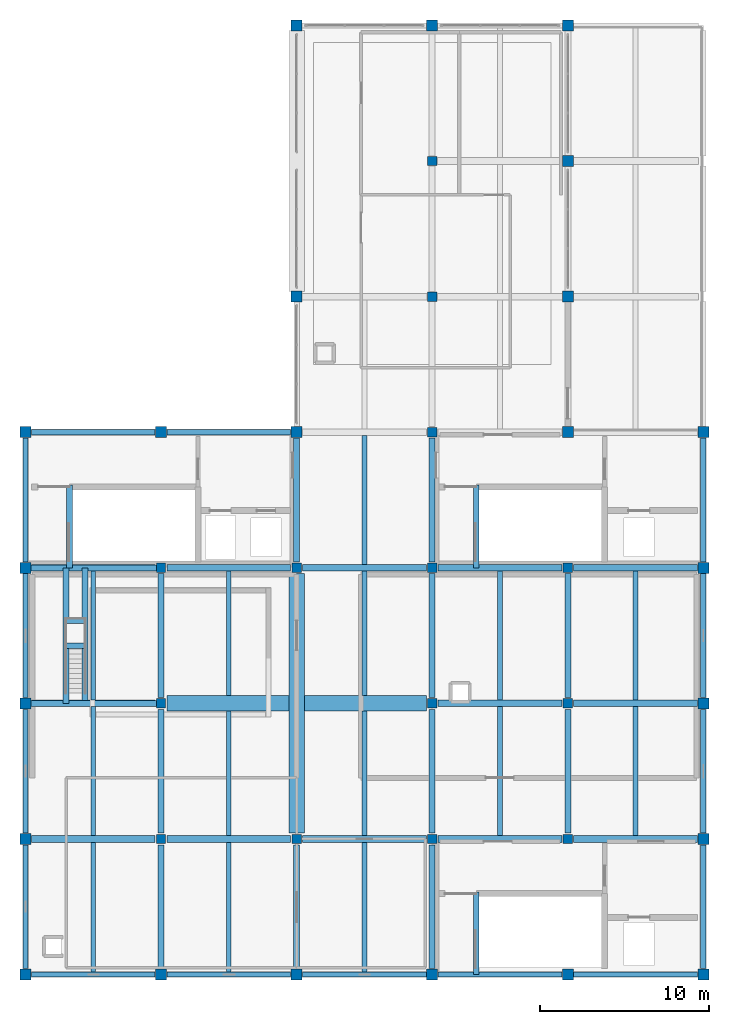
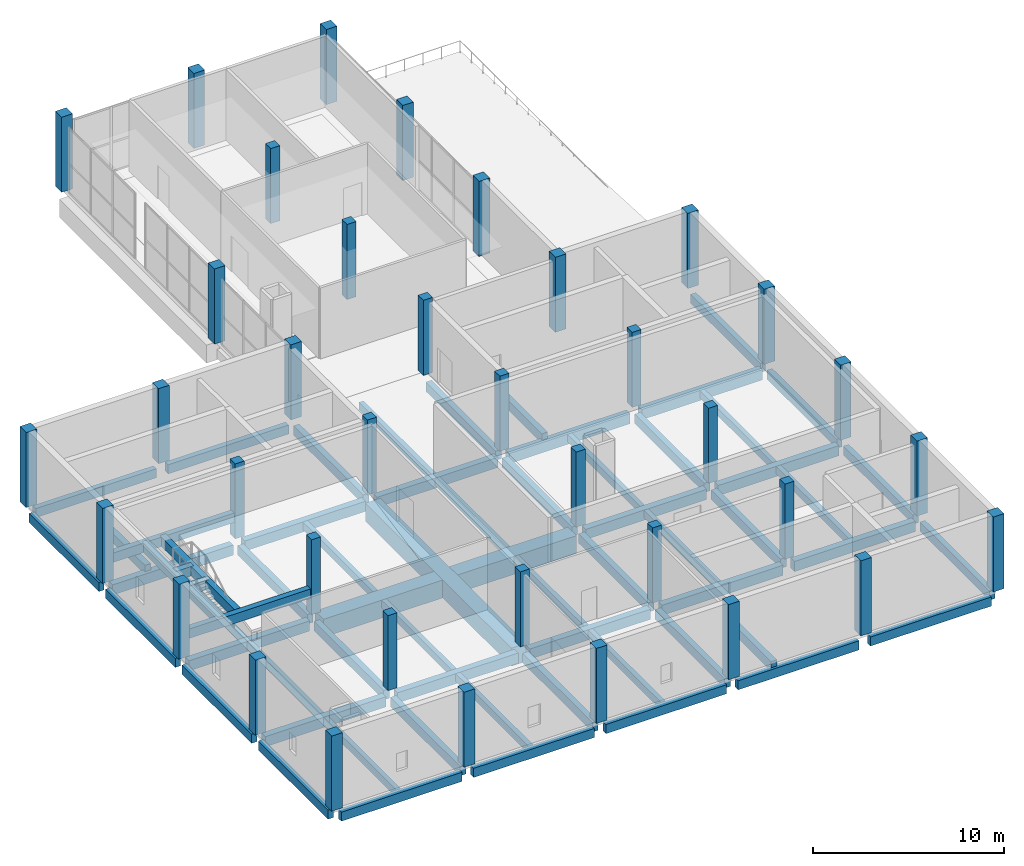
# One storey, part 1 of 8: 64 beams, 37 columns.
"""IFC4 building model written with IfcOpenShell, lengths in metres."""

from ifc_helpers import new_model, si_unit, direction, frame, origin, origin_2d, place, context, subcontext, project, spatial, rectangle, extrude, material, material_profile, profile_set, type_object, element, save


model = new_model("IFC4")

# Units and contexts
model_context = context("Model", 3, precision=1e-05, world=origin(), true_north=direction((0.0, 1.0)))
body_context = subcontext(model_context, "Body", "Model", "MODEL_VIEW")
ifc_project = project(units=[si_unit("LENGTHUNIT", "METRE"), si_unit("AREAUNIT", "SQUARE_METRE"), si_unit("VOLUMEUNIT", "CUBIC_METRE"), si_unit("PLANEANGLEUNIT", "RADIAN"), si_unit("MASSUNIT", "GRAM", prefix="KILO")], contexts=[model_context])

# Site, building, storey
site_placement = place(None, origin())
site = spatial("IfcSite", under=ifc_project, at=site_placement, CompositionType="ELEMENT")
building_placement = place(site_placement, origin())
building = spatial("IfcBuilding", under=site, at=building_placement, Name="Qorikala Patio Media Centre", CompositionType="ELEMENT")
storey_placement = place(building_placement, frame((0.0, 0.0, 27.89990234375)))
storey = spatial("IfcBuildingStorey", under=building, at=storey_placement, Name="L06", CompositionType="ELEMENT", Elevation=27.89990234375)

# Columns
ifc_material = material(Name="Concrete C35/45", Category="concrete")
ifc_material_profile_1 = material_profile(ifc_material, rectangle(XDim=0.550048828125, YDim=0.550048828125, at=origin_2d()), Name="RC 550x550")
ifc_profile_set_1 = profile_set([ifc_material_profile_1], Name="Concrete C35/45")
column_type_1 = type_object("IfcColumnType", Name="RC-COL-550-INT", PredefinedType="COLUMN", material=ifc_profile_set_1)
for number, where, z_axis, x_axis, name in (
    (1, (11.0, 11.0, 0.0), (0.0, 0.0, 1.0), (1.0, 0.0, 0.0), "L06 Column (11,11)"),
    (2, (11.0, 19.0, 0.0), (0.0, 0.0, 1.0), (1.0, 0.0, 0.0), "L06 Column (11,19)"),
    (3, (11.0, 27.0, 0.0), (0.0, 0.0, 1.0), (1.0, 0.0, 0.0), "L06 Column (11,27)"),
    (4, (19.0, 11.0, 0.0), (0.0, 0.0, 1.0), (1.0, 0.0, 0.0), "L06 Column (19,11)"),
    (5, (19.0, 27.0, 0.0), (0.0, 0.0, 1.0), (1.0, 0.0, 0.0), "L06 Column (19,27)"),
    (6, (27.0, 11.0, 0.0), (0.0, 0.0, 1.0), (1.0, 0.0, 0.0), "L06 Column (27,11)"),
    (7, (27.0, 19.0, 0.0), (0.0, 0.0, 1.0), (1.0, 0.0, 0.0), "L06 Column (27,19)"),
    (8, (27.0, 27.0, 0.0), (0.0, 0.0, 1.0), (1.0, 0.0, 0.0), "L06 Column (27,27)"),
    (9, (27.0, 35.0, 0.0), (0.0, 0.0, 1.0), (1.0, 0.0, 0.0), "L06 Column (27,35)"),
    (10, (27.0, 43.0, 0.0), (0.0, 0.0, 1.0), (1.0, 0.0, 0.0), "L06 Column (27,43)"),
    (11, (27.0, 51.0, 0.0), (0.0, 0.0, 1.0), (1.0, 0.0, 0.0), "L06 Column (27,51)"),
    (12, (35.0, 11.0, 0.0), (0.0, 0.0, 1.0), (1.0, 0.0, 0.0), "L06 Column (35,11)"),
    (13, (35.0, 19.0, 0.0), (0.0, 0.0, 1.0), (1.0, 0.0, 0.0), "L06 Column (35,19)"),
    (14, (35.0, 27.0, 0.0), (0.0, 0.0, 1.0), (1.0, 0.0, 0.0), "L06 Column (35,27)"),
):
    element("IfcColumn", number, at=place(storey_placement, frame(where, z_axis=z_axis, x_axis=x_axis)), inside=storey, type_object=column_type_1, Name=name, PredefinedType="COLUMN", context=body_context, shape_type="SweptSolid", body=[
        extrude(rectangle(XDim=0.550048828125, YDim=0.550048828125, at=origin_2d()), origin(), (0.0, 0.0, 1.0), 4.800048828125),
    ])
ifc_material_profile_2 = material_profile(ifc_material, rectangle(XDim=0.64990234375, YDim=0.64990234375, at=origin_2d()), Name="RC 650x650")
ifc_profile_set_2 = profile_set([ifc_material_profile_2], Name="Concrete C35/45")
column_type_2 = type_object("IfcColumnType", Name="RC-COL-650-EXT", PredefinedType="COLUMN", material=ifc_profile_set_2)
for number, where, z_axis, x_axis, name in (
    (15, (3.0, 3.0, 0.0), (0.0, 0.0, 1.0), (1.0, 0.0, 0.0), "L06 Column (3,3)"),
    (16, (3.0, 11.0, 0.0), (0.0, 0.0, 1.0), (1.0, 0.0, 0.0), "L06 Column (3,11)"),
    (17, (3.0, 19.0, 0.0), (0.0, 0.0, 1.0), (1.0, 0.0, 0.0), "L06 Column (3,19)"),
    (18, (3.0, 27.0, 0.0), (0.0, 0.0, 1.0), (1.0, 0.0, 0.0), "L06 Column (3,27)"),
    (19, (3.0, 35.0, 0.0), (0.0, 0.0, 1.0), (1.0, 0.0, 0.0), "L06 Column (3,35)"),
    (20, (11.0, 3.0, 0.0), (0.0, 0.0, 1.0), (1.0, 0.0, 0.0), "L06 Column (11,3)"),
    (21, (11.0, 35.0, 0.0), (0.0, 0.0, 1.0), (1.0, 0.0, 0.0), "L06 Column (11,35)"),
    (22, (19.0, 3.0, 0.0), (0.0, 0.0, 1.0), (1.0, 0.0, 0.0), "L06 Column (19,3)"),
    (23, (19.0, 35.0, 0.0), (0.0, 0.0, 1.0), (1.0, 0.0, 0.0), "L06 Column (19,35)"),
    (24, (19.0, 43.0, 0.0), (0.0, 0.0, 1.0), (1.0, 0.0, 0.0), "L06 Column (19,43)"),
    (25, (19.0, 59.0, 0.0), (0.0, 0.0, 1.0), (1.0, 0.0, 0.0), "L06 Column (19,59)"),
    (26, (27.0, 3.0, 0.0), (0.0, 0.0, 1.0), (1.0, 0.0, 0.0), "L06 Column (27,3)"),
    (27, (27.0, 59.0, 0.0), (0.0, 0.0, 1.0), (1.0, 0.0, 0.0), "L06 Column (27,59)"),
    (28, (35.0, 3.0, 0.0), (0.0, 0.0, 1.0), (1.0, 0.0, 0.0), "L06 Column (35,3)"),
    (29, (35.0, 35.0, 0.0), (0.0, 0.0, 1.0), (1.0, 0.0, 0.0), "L06 Column (35,35)"),
    (30, (35.0, 43.0, 0.0), (0.0, 0.0, 1.0), (1.0, 0.0, 0.0), "L06 Column (35,43)"),
    (31, (35.0, 51.0, 0.0), (0.0, 0.0, 1.0), (1.0, 0.0, 0.0), "L06 Column (35,51)"),
    (32, (35.0, 59.0, 0.0), (0.0, 0.0, 1.0), (1.0, 0.0, 0.0), "L06 Column (35,59)"),
    (33, (43.0, 3.0, 0.0), (0.0, 0.0, 1.0), (1.0, 0.0, 0.0), "L06 Column (43,3)"),
    (34, (43.0, 11.0, 0.0), (0.0, 0.0, 1.0), (1.0, 0.0, 0.0), "L06 Column (43,11)"),
    (35, (43.0, 19.0, 0.0), (0.0, 0.0, 1.0), (1.0, 0.0, 0.0), "L06 Column (43,19)"),
    (36, (43.0, 27.0, 0.0), (0.0, 0.0, 1.0), (1.0, 0.0, 0.0), "L06 Column (43,27)"),
    (37, (43.0, 35.0, 0.0), (0.0, 0.0, 1.0), (1.0, 0.0, 0.0), "L06 Column (43,35)"),
):
    element("IfcColumn", number, at=place(storey_placement, frame(where, z_axis=z_axis, x_axis=x_axis)), inside=storey, type_object=column_type_2, Name=name, PredefinedType="COLUMN", context=body_context, shape_type="SweptSolid", body=[
        extrude(rectangle(XDim=0.64990234375, YDim=0.64990234375, at=origin_2d()), origin(), (0.0, 0.0, 1.0), 4.800048828125),
    ])

# Beams
ifc_material_profile_3 = material_profile(ifc_material, rectangle(XDim=0.35009765625, YDim=0.60009765625, at=origin_2d()), Name="RC 350x600")
ifc_profile_set_3 = profile_set([ifc_material_profile_3], Name="Concrete C35/45")
beam_type_1 = type_object("IfcBeamType", Name="BM-G350X600", PredefinedType="BEAM", material=ifc_profile_set_3)
for number, where, z_axis, x_axis, name in (
    (38, (11.0, 3.35009765625, -0.699951171875), (0.0, 1.0, 0.0), (-1.0, 0.0, 0.0), "L06 Grid X=11 Beam 1713"),
    (39, (11.0, 11.35009765625, -0.699951171875), (0.0, 1.0, 0.0), (-1.0, 0.0, 0.0), "L06 Grid X=11 Beam 1714"),
    (40, (11.0, 19.35009765625, -0.699951171875), (0.0, 1.0, 0.0), (-1.0, 0.0, 0.0), "L06 Grid X=11 Beam 1715"),
    (41, (19.0, 3.35009765625, -0.699951171875), (0.0, 1.0, 0.0), (-1.0, 0.0, 0.0), "L06 Grid X=19 Beam 1716"),
    (42, (19.0, 27.35009765625, -0.699951171875), (0.0, 1.0, 0.0), (-1.0, 0.0, 0.0), "L06 Grid X=19 Beam 1718"),
    (43, (27.0, 3.35009765625, -0.699951171875), (0.0, 1.0, 0.0), (-1.0, 0.0, 0.0), "L06 Grid X=27 Beam 1721"),
    (44, (27.0, 11.35009765625, -0.699951171875), (0.0, 1.0, 0.0), (-1.0, 0.0, 0.0), "L06 Grid X=27 Beam 1722"),
    (45, (27.0, 19.35009765625, -0.699951171875), (0.0, 1.0, 0.0), (-1.0, 0.0, 0.0), "L06 Grid X=27 Beam 1723"),
    (46, (27.0, 27.35009765625, -0.699951171875), (0.0, 1.0, 0.0), (-1.0, 0.0, 0.0), "L06 Grid X=27 Beam 1724"),
    (47, (35.0, 11.35009765625, -0.699951171875), (0.0, 1.0, 0.0), (-1.0, 0.0, 0.0), "L06 Grid X=35 Beam 1728"),
    (48, (35.0, 19.35009765625, -0.699951171875), (0.0, 1.0, 0.0), (-1.0, 0.0, 0.0), "L06 Grid X=35 Beam 1729"),
):
    element("IfcBeam", number, at=place(storey_placement, frame(where, z_axis=z_axis, x_axis=x_axis)), inside=storey, type_object=beam_type_1, Name=name, PredefinedType="BEAM", context=body_context, shape_type="SweptSolid", body=[
        extrude(rectangle(XDim=0.35009765625, YDim=0.60009765625, at=origin_2d()), origin(), (0.0, 0.0, 1.0), 7.2998046875),
    ])
for number, where, z_axis, x_axis, name in (
    (49, (29.60009765625, 3.0, -0.2998046875), (0.0, 1.0, 0.0), (-1.0, 0.0, 0.0), "L06 ST-1 Well Trimmer Beam"),
    (50, (5.60009765625, 27.0, -0.2998046875), (0.0, 1.0, 0.0), (-1.0, 0.0, 0.0), "L06 ST-2 Well Trimmer Beam"),
    (51, (29.60009765625, 27.0, -0.2998046875), (0.0, 1.0, 0.0), (-1.0, 0.0, 0.0), "L06 ST-5 Well Trimmer Beam"),
):
    element("IfcBeam", number, at=place(storey_placement, frame(where, z_axis=z_axis, x_axis=x_axis)), inside=storey, type_object=beam_type_1, Name=name, PredefinedType="BEAM", context=body_context, shape_type="SweptSolid", body=[
        extrude(rectangle(XDim=0.35009765625, YDim=0.60009765625, at=origin_2d()), origin(), (0.0, 0.0, 1.0), 4.8798828125),
    ])
for number, where, z_axis, x_axis, name in (
    (52, (3.0, 19.0, 1.300048828125), (1.0, 0.0, 0.0), (0.0, 1.0, 0.0), "Vomitory VS-08 Transverse Grid Beam S"),
    (53, (3.0, 27.0, 1.300048828125), (1.0, 0.0, 0.0), (0.0, 1.0, 0.0), "Vomitory VS-08 Transverse Grid Beam N"),
    (54, (5.39990234375, 19.0, 1.300048828125), (0.0, 1.0, 0.0), (-1.0, 0.0, 0.0), "Vomitory VS-08 Longitudinal Stringer L"),
    (55, (6.5, 19.0, 1.300048828125), (0.0, 1.0, 0.0), (-1.0, 0.0, 0.0), "Vomitory VS-08 Longitudinal Stringer R"),
):
    element("IfcBeam", number, at=place(storey_placement, frame(where, z_axis=z_axis, x_axis=x_axis)), inside=storey, type_object=beam_type_1, Name=name, PredefinedType="BEAM", context=body_context, shape_type="SweptSolid", body=[
        extrude(rectangle(XDim=0.35009765625, YDim=0.60009765625, at=origin_2d()), origin(), (0.0, 0.0, 1.0), 8.0),
    ])
for number, where, z_axis, x_axis, name in (
    (56, (5.39990234375, 22.39990234375, 1.300048828125), (1.0, 0.0, 0.0), (0.0, 1.0, 0.0), "Vomitory VS-08 Landing Cross Beam FR"),
    (57, (5.39990234375, 23.89990234375, 1.300048828125), (1.0, 0.0, 0.0), (0.0, 1.0, 0.0), "Vomitory VS-08 Landing Cross Beam BK"),
):
    element("IfcBeam", number, at=place(storey_placement, frame(where, z_axis=z_axis, x_axis=x_axis)), inside=storey, type_object=beam_type_1, Name=name, PredefinedType="BEAM", context=body_context, shape_type="SweptSolid", body=[
        extrude(rectangle(XDim=0.35009765625, YDim=0.60009765625, at=origin_2d()), origin(), (0.0, 0.0, 1.0), 1.10009765625),
    ])
ifc_material_profile_4 = material_profile(ifc_material, rectangle(XDim=0.39990234375, YDim=0.64990234375, at=origin_2d()), Name="RC 400x650")
ifc_profile_set_4 = profile_set([ifc_material_profile_4], Name="Concrete C35/45")
beam_type_2 = type_object("IfcBeamType", Name="BM-G400X650", PredefinedType="BEAM", material=ifc_profile_set_4)
for number, where, z_axis, x_axis, name in (
    (58, (3.35009765625, 11.0, -0.724853515625), (1.0, 0.0, 0.0), (0.0, 1.0, 0.0), "L06 Grid 11 Beam 1682"),
    (59, (11.35009765625, 11.0, -0.724853515625), (1.0, 0.0, 0.0), (0.0, 1.0, 0.0), "L06 Grid 11 Beam 1683"),
    (60, (19.35009765625, 11.0, -0.724853515625), (1.0, 0.0, 0.0), (0.0, 1.0, 0.0), "L06 Grid 11 Beam 1684"),
    (61, (27.35009765625, 11.0, -0.724853515625), (1.0, 0.0, 0.0), (0.0, 1.0, 0.0), "L06 Grid 11 Beam 1685"),
    (62, (35.35009765625, 11.0, -0.724853515625), (1.0, 0.0, 0.0), (0.0, 1.0, 0.0), "L06 Grid 11 Beam 1686"),
    (63, (3.35009765625, 19.0, -0.724853515625), (1.0, 0.0, 0.0), (0.0, 1.0, 0.0), "L06 Grid 19 Beam 1687"),
    (64, (27.35009765625, 19.0, -0.724853515625), (1.0, 0.0, 0.0), (0.0, 1.0, 0.0), "L06 Grid 19 Beam 1689"),
    (65, (35.35009765625, 19.0, -0.724853515625), (1.0, 0.0, 0.0), (0.0, 1.0, 0.0), "L06 Grid 19 Beam 1690"),
    (66, (3.35009765625, 27.0, -0.724853515625), (1.0, 0.0, 0.0), (0.0, 1.0, 0.0), "L06 Grid 27 Beam 1691"),
    (67, (11.35009765625, 27.0, -0.724853515625), (1.0, 0.0, 0.0), (0.0, 1.0, 0.0), "L06 Grid 27 Beam 1692"),
    (68, (19.35009765625, 27.0, -0.724853515625), (1.0, 0.0, 0.0), (0.0, 1.0, 0.0), "L06 Grid 27 Beam 1693"),
    (69, (27.35009765625, 27.0, -0.724853515625), (1.0, 0.0, 0.0), (0.0, 1.0, 0.0), "L06 Grid 27 Beam 1694"),
    (70, (35.35009765625, 27.0, -0.724853515625), (1.0, 0.0, 0.0), (0.0, 1.0, 0.0), "L06 Grid 27 Beam 1695"),
):
    element("IfcBeam", number, at=place(storey_placement, frame(where, z_axis=z_axis, x_axis=x_axis)), inside=storey, type_object=beam_type_2, Name=name, PredefinedType="BEAM", context=body_context, shape_type="SweptSolid", body=[
        extrude(rectangle(XDim=0.39990234375, YDim=0.64990234375, at=origin_2d()), origin(), (0.0, 0.0, 1.0), 7.2998046875),
    ])
ifc_material_profile_5 = material_profile(ifc_material, rectangle(XDim=0.89990234375, YDim=1.14990234375, at=origin_2d()), Name="RC 900x1150")
ifc_profile_set_5 = profile_set([ifc_material_profile_5], Name="Concrete C35/45")
beam_type_3 = type_object("IfcBeamType", Name="BM-TR900X1150", PredefinedType="BEAM", material=ifc_profile_set_5)
for number, where, z_axis, x_axis, name in (
    (71, (11.35009765625, 19.0, -0.974853515625), (1.0, 0.0, 0.0), (0.0, 1.0, 0.0), "L06 Grid 19 Beam 1688"),
    (72, (19.0, 11.35009765625, -0.974853515625), (0.0, 1.0, 0.0), (-1.0, 0.0, 0.0), "L06 Grid X=19 Transfer Girder 1717"),
):
    element("IfcBeam", number, at=place(storey_placement, frame(where, z_axis=z_axis, x_axis=x_axis)), inside=storey, type_object=beam_type_3, Name=name, PredefinedType="BEAM", context=body_context, shape_type="SweptSolid", body=[
        extrude(rectangle(XDim=0.89990234375, YDim=1.14990234375, at=origin_2d()), origin(), (0.0, 0.0, 1.0), 15.2998046875),
    ])
ifc_material_profile_6 = material_profile(ifc_material, rectangle(XDim=0.280029296875, YDim=0.47998046875, at=origin_2d()), Name="RC 280x480")
ifc_profile_set_6 = profile_set([ifc_material_profile_6], Name="Concrete C35/45")
beam_type_4 = type_object("IfcBeamType", Name="JS-280X480", PredefinedType="JOIST", material=ifc_profile_set_6)
beam_1_placement = place(storey_placement, frame((7.0, 3.159912109375, -0.639892578125), z_axis=(0.0, 1.0, 0.0), x_axis=(-1.0, 0.0, 0.0)))
element("IfcBeam", 73, at=beam_1_placement, inside=storey, type_object=beam_type_4, Name="L06 Secondary Joist 1740", PredefinedType="JOIST", context=body_context, shape_type="SweptSolid", body=[
    extrude(rectangle(XDim=0.280029296875, YDim=0.47998046875, at=origin_2d()), origin(), (0.0, 0.0, 1.0), 7.64013671875),
])
for number, where, z_axis, x_axis, name in (
    (74, (7.0, 11.199951171875, -0.639892578125), (0.0, 1.0, 0.0), (-1.0, 0.0, 0.0), "L06 Secondary Joist 1741"),
    (75, (7.0, 19.199951171875, -0.639892578125), (0.0, 1.0, 0.0), (-1.0, 0.0, 0.0), "L06 Secondary Joist 1742"),
):
    element("IfcBeam", number, at=place(storey_placement, frame(where, z_axis=z_axis, x_axis=x_axis)), inside=storey, type_object=beam_type_4, Name=name, PredefinedType="JOIST", context=body_context, shape_type="SweptSolid", body=[
        extrude(rectangle(XDim=0.280029296875, YDim=0.47998046875, at=origin_2d()), origin(), (0.0, 0.0, 1.0), 7.60009765625),
    ])
beam_2_placement = place(storey_placement, frame((15.0, 3.159912109375, -0.639892578125), z_axis=(0.0, 1.0, 0.0), x_axis=(-1.0, 0.0, 0.0)))
element("IfcBeam", 76, at=beam_2_placement, inside=storey, type_object=beam_type_4, Name="L06 Secondary Joist 1743", PredefinedType="JOIST", context=body_context, shape_type="SweptSolid", body=[
    extrude(rectangle(XDim=0.280029296875, YDim=0.47998046875, at=origin_2d()), origin(), (0.0, 0.0, 1.0), 7.64013671875),
])
for number, where, z_axis, x_axis, name in (
    (77, (15.0, 11.199951171875, -0.639892578125), (0.0, 1.0, 0.0), (-1.0, 0.0, 0.0), "L06 Secondary Joist 1744"),
    (78, (15.0, 19.449951171875, -0.639892578125), (0.0, 1.0, 0.0), (-1.0, 0.0, 0.0), "L06 Secondary Joist 1745"),
):
    element("IfcBeam", number, at=place(storey_placement, frame(where, z_axis=z_axis, x_axis=x_axis)), inside=storey, type_object=beam_type_4, Name=name, PredefinedType="JOIST", context=body_context, shape_type="SweptSolid", body=[
        extrude(rectangle(XDim=0.280029296875, YDim=0.47998046875, at=origin_2d()), origin(), (0.0, 0.0, 1.0), 7.35009765625),
    ])
beam_3_placement = place(storey_placement, frame((23.0, 3.159912109375, -0.639892578125), z_axis=(0.0, 1.0, 0.0), x_axis=(-1.0, 0.0, 0.0)))
element("IfcBeam", 79, at=beam_3_placement, inside=storey, type_object=beam_type_4, Name="L06 Secondary Joist 1746", PredefinedType="JOIST", context=body_context, shape_type="SweptSolid", body=[
    extrude(rectangle(XDim=0.280029296875, YDim=0.47998046875, at=origin_2d()), origin(), (0.0, 0.0, 1.0), 7.64013671875),
])
for number, where, z_axis, x_axis, name in (
    (80, (23.0, 11.199951171875, -0.639892578125), (0.0, 1.0, 0.0), (-1.0, 0.0, 0.0), "L06 Secondary Joist 1747"),
    (81, (23.0, 19.449951171875, -0.639892578125), (0.0, 1.0, 0.0), (-1.0, 0.0, 0.0), "L06 Secondary Joist 1748"),
):
    element("IfcBeam", number, at=place(storey_placement, frame(where, z_axis=z_axis, x_axis=x_axis)), inside=storey, type_object=beam_type_4, Name=name, PredefinedType="JOIST", context=body_context, shape_type="SweptSolid", body=[
        extrude(rectangle(XDim=0.280029296875, YDim=0.47998046875, at=origin_2d()), origin(), (0.0, 0.0, 1.0), 7.35009765625),
    ])
for number, where, z_axis, x_axis, name in (
    (82, (23.0, 27.199951171875, -0.639892578125), (0.0, 1.0, 0.0), (-1.0, 0.0, 0.0), "L06 Secondary Joist 1749"),
    (83, (31.0, 11.199951171875, -0.639892578125), (0.0, 1.0, 0.0), (-1.0, 0.0, 0.0), "L06 Secondary Joist 1751"),
    (84, (31.0, 19.199951171875, -0.639892578125), (0.0, 1.0, 0.0), (-1.0, 0.0, 0.0), "L06 Secondary Joist 1752"),
    (85, (39.0, 11.199951171875, -0.639892578125), (0.0, 1.0, 0.0), (-1.0, 0.0, 0.0), "L06 Secondary Joist 1756"),
    (86, (39.0, 19.199951171875, -0.639892578125), (0.0, 1.0, 0.0), (-1.0, 0.0, 0.0), "L06 Secondary Joist 1757"),
):
    element("IfcBeam", number, at=place(storey_placement, frame(where, z_axis=z_axis, x_axis=x_axis)), inside=storey, type_object=beam_type_4, Name=name, PredefinedType="JOIST", context=body_context, shape_type="SweptSolid", body=[
        extrude(rectangle(XDim=0.280029296875, YDim=0.47998046875, at=origin_2d()), origin(), (0.0, 0.0, 1.0), 7.60009765625),
    ])
ifc_material_profile_7 = material_profile(ifc_material, rectangle(XDim=0.320068359375, YDim=0.580078125, at=origin_2d()), Name="RC 320x580")
ifc_profile_set_7 = profile_set([ifc_material_profile_7], Name="Concrete C35/45")
beam_type_5 = type_object("IfcBeamType", Name="SP-320X580", PredefinedType="SPANDREL", material=ifc_profile_set_7)
for number, where, z_axis, x_axis, name in (
    (87, (3.35009765625, 3.0, -0.68994140625), (1.0, 0.0, 0.0), (0.0, 1.0, 0.0), "L06 Grid 3 Beam 1677"),
    (88, (11.35009765625, 3.0, -0.68994140625), (1.0, 0.0, 0.0), (0.0, 1.0, 0.0), "L06 Grid 3 Beam 1678"),
    (89, (19.35009765625, 3.0, -0.68994140625), (1.0, 0.0, 0.0), (0.0, 1.0, 0.0), "L06 Grid 3 Beam 1679"),
    (90, (27.35009765625, 3.0, -0.68994140625), (1.0, 0.0, 0.0), (0.0, 1.0, 0.0), "L06 Grid 3 Beam 1680"),
    (91, (35.35009765625, 3.0, -0.68994140625), (1.0, 0.0, 0.0), (0.0, 1.0, 0.0), "L06 Grid 3 Beam 1681"),
    (92, (3.35009765625, 35.0, -0.68994140625), (1.0, 0.0, 0.0), (0.0, 1.0, 0.0), "L06 Grid 35 Beam 1696"),
    (93, (11.35009765625, 35.0, -0.68994140625), (1.0, 0.0, 0.0), (0.0, 1.0, 0.0), "L06 Grid 35 Beam 1697"),
    (94, (3.0, 3.35009765625, -0.68994140625), (0.0, 1.0, 0.0), (-1.0, 0.0, 0.0), "L06 Grid X=3 Beam 1709"),
    (95, (3.0, 11.35009765625, -0.68994140625), (0.0, 1.0, 0.0), (-1.0, 0.0, 0.0), "L06 Grid X=3 Beam 1710"),
    (96, (3.0, 19.35009765625, -0.68994140625), (0.0, 1.0, 0.0), (-1.0, 0.0, 0.0), "L06 Grid X=3 Beam 1711"),
    (97, (3.0, 27.35009765625, -0.68994140625), (0.0, 1.0, 0.0), (-1.0, 0.0, 0.0), "L06 Grid X=3 Beam 1712"),
    (98, (43.0, 3.35009765625, -0.68994140625), (0.0, 1.0, 0.0), (-1.0, 0.0, 0.0), "L06 Grid X=43 Beam 1733"),
    (99, (43.0, 11.35009765625, -0.68994140625), (0.0, 1.0, 0.0), (-1.0, 0.0, 0.0), "L06 Grid X=43 Beam 1734"),
    (100, (43.0, 19.35009765625, -0.68994140625), (0.0, 1.0, 0.0), (-1.0, 0.0, 0.0), "L06 Grid X=43 Beam 1735"),
    (101, (43.0, 27.35009765625, -0.68994140625), (0.0, 1.0, 0.0), (-1.0, 0.0, 0.0), "L06 Grid X=43 Beam 1736"),
):
    element("IfcBeam", number, at=place(storey_placement, frame(where, z_axis=z_axis, x_axis=x_axis)), inside=storey, type_object=beam_type_5, Name=name, PredefinedType="SPANDREL", context=body_context, shape_type="SweptSolid", body=[
        extrude(rectangle(XDim=0.320068359375, YDim=0.580078125, at=origin_2d()), origin(), (0.0, 0.0, 1.0), 7.2998046875),
    ])

save(model, "model.ifc")
